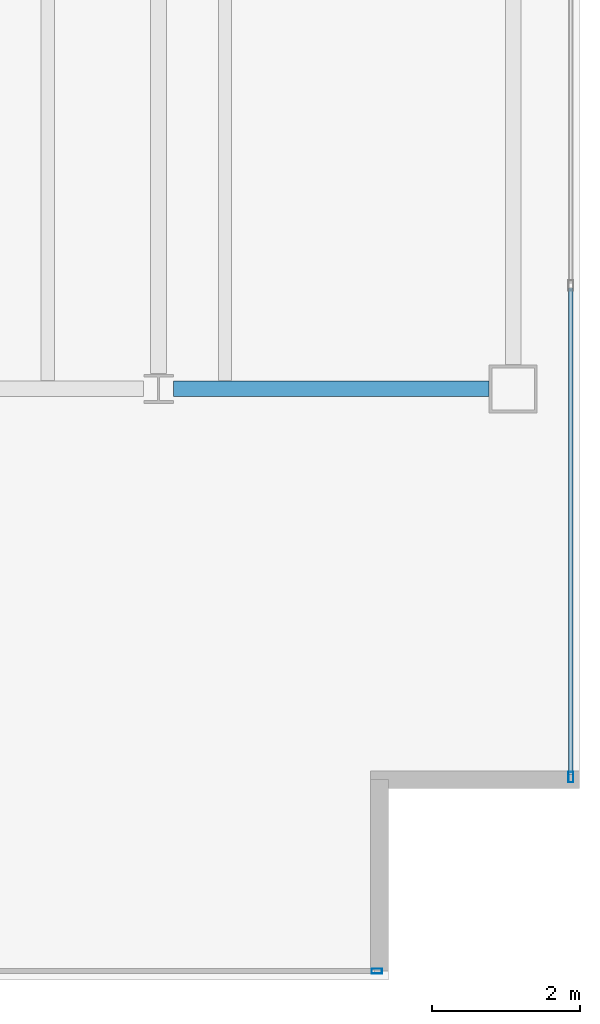
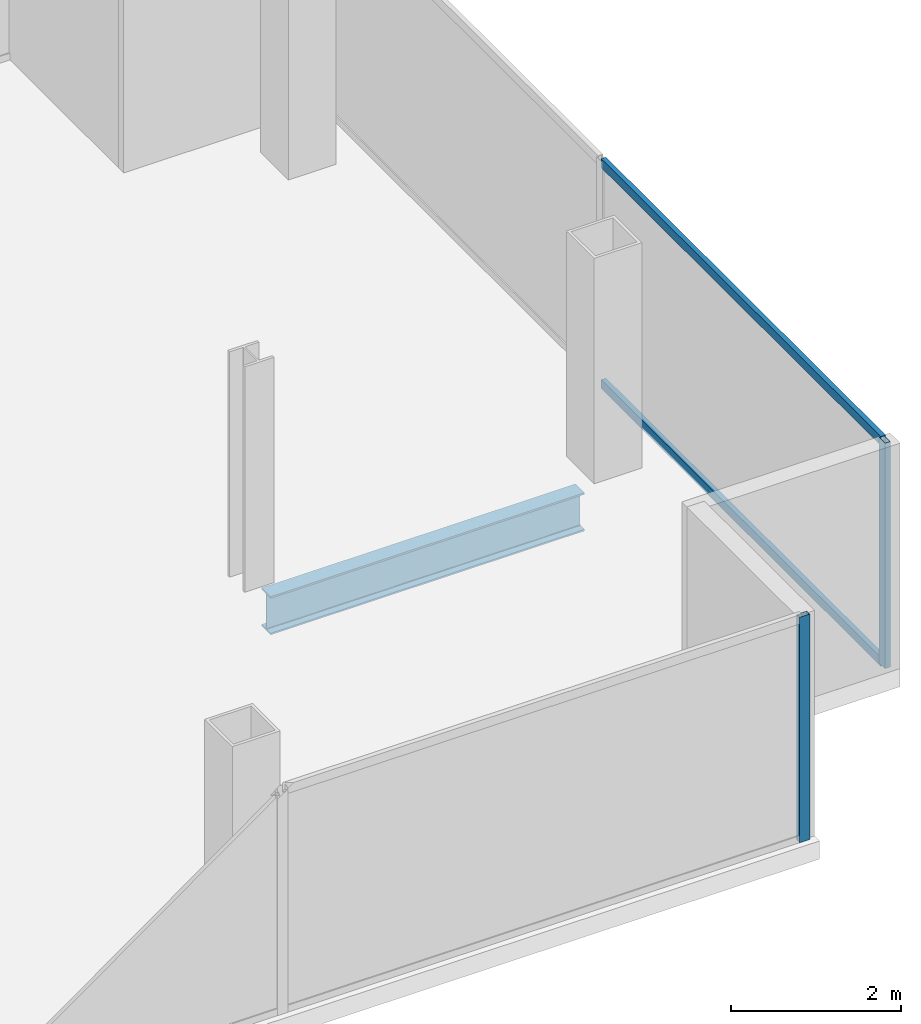
# One storey, part 14 of 23: 4 members, 1 beam, 2 elements without a shape of their own.
"""IFC4 building model written with IfcOpenShell, lengths in metres."""

from ifc_helpers import new_model, si_unit, direction, frame, origin, origin_2d, place, context, subcontext, project, spatial, hollow_rectangle, i_section, extrude, material, material_profile, profile_set, type_object, element, aggregate, save


model = new_model("IFC4")

# Units and contexts
model_context = context("Model", 3, precision=1e-05, world=origin(), true_north=direction((0.0, 1.0)))
body_context = subcontext(model_context, "Body", "Model", "MODEL_VIEW")
ifc_project = project(units=[si_unit("LENGTHUNIT", "METRE"), si_unit("AREAUNIT", "SQUARE_METRE"), si_unit("VOLUMEUNIT", "CUBIC_METRE"), si_unit("PLANEANGLEUNIT", "RADIAN"), si_unit("MASSUNIT", "GRAM", prefix="KILO")], contexts=[model_context])

# Site, building, storey
site_placement = place(None, origin())
site = spatial("IfcSite", under=ifc_project, at=site_placement, CompositionType="ELEMENT")
building_placement = place(site_placement, origin())
building = spatial("IfcBuilding", under=site, at=building_placement, Name="Cobrela Telecom Tower", CompositionType="ELEMENT")
storey_placement = place(building_placement, frame((0.0, 0.0, 265.64990234375)))
storey = spatial("IfcBuildingStorey", under=building, at=storey_placement, Name="L69", CompositionType="ELEMENT", Elevation=265.64990234375)

# Beam
ifc_material_1 = material(Name="Steel ASTM A992 Grade 50", Category="steel")
ifc_material_profile_1 = material_profile(ifc_material_1, i_section(OverallWidth=0.212890625, OverallDepth=0.549072265625, WebThickness=0.0146484375, FlangeThickness=0.023681640625, FilletRadius=0.013916015625, at=origin_2d()), Name="W21X93")
ifc_profile_set_1 = profile_set([ifc_material_profile_1], Name="Steel ASTM A992 Grade 50")
beam_type = type_object("IfcBeamType", Name="BM-GIRD-08", PredefinedType="USERDEFINED", material=ifc_profile_set_1)
beam_placement = place(storey_placement, frame((40.1044921875, 14.39990234375, -0.534423828125), z_axis=(1.0, 0.0, 0.0), x_axis=(0.0, 1.0, 0.0)))
element("IfcBeam", 1, at=beam_placement, inside=storey, type_object=beam_type, Name="L69 Primary Girder X09", ObjectType="GIRDER", PredefinedType="USERDEFINED", context=body_context, shape_type="SweptSolid", body=[
    extrude(i_section(OverallWidth=0.212890625, OverallDepth=0.549072265625, WebThickness=0.0146484375, FlangeThickness=0.023681640625, FilletRadius=0.013916015625, at=origin_2d()), origin(), (0.0, 0.0, 1.0), 4.265625),
])

# Curtain wall, member
ifc_material_2 = material(Name="Anodized Bronze Aluminium 6063-T6", Category="aluminium")
curtain_wall_type = type_object("IfcCurtainWallType", Name="CW-SYS-OFF-HI", PredefinedType="USERDEFINED", material=ifc_material_2)
curtain_wall_1_placement = place(storey_placement, origin())
curtain_wall_1 = element("IfcCurtainWall", 2, at=curtain_wall_1_placement, inside=storey, type_object=curtain_wall_type, Name="L69 Unitised Bronze Curtain Wall 12", ObjectType="UNITISED CURTAIN WALL", PredefinedType="USERDEFINED")
ifc_material_profile_2 = material_profile(ifc_material_2, hollow_rectangle(XDim=0.070068359375, YDim=0.139892578125, WallThickness=0.00390625, at=origin_2d()), Name="ALU 70x140x4")
ifc_profile_set_2 = profile_set([ifc_material_profile_2], Name="Anodized Bronze Aluminium 6063-T6")
member_type_1 = type_object("IfcMemberType", Name="CW-SYS-OFF-HI-MUL", PredefinedType="MULLION", material=ifc_profile_set_2)
member_1_placement = place(storey_placement, frame((45.47998046875, 9.14501953125, 0.0), z_axis=(0.0, 0.0, 1.0), x_axis=(1.0, 0.0, 0.0)))
member_1 = element("IfcMember", 3, at=member_1_placement, type_object=member_type_1, Name="CW-OFF-HI mullion 3", PredefinedType="MULLION", context=body_context, shape_type="SweptSolid", body=[
    extrude(hollow_rectangle(XDim=0.070068359375, YDim=0.139892578125, WallThickness=0.00390625, at=origin_2d()), origin(), (0.0, 0.0, 1.0), 3.239990234375),
])

curtain_wall_2_placement = place(storey_placement, origin())
curtain_wall_2 = element("IfcCurtainWall", 4, at=curtain_wall_2_placement, inside=storey, type_object=curtain_wall_type, Name="L69 Unitised Bronze Curtain Wall 15", ObjectType="UNITISED CURTAIN WALL", PredefinedType="USERDEFINED")
member_2_placement = place(storey_placement, frame((42.85498046875, 6.52001953125, 0.0), z_axis=(0.0, 0.0, 1.0), x_axis=(0.0, -1.0, 0.0)))
member_2 = element("IfcMember", 5, at=member_2_placement, type_object=member_type_1, Name="CW-OFF-HI mullion 1", PredefinedType="MULLION", context=body_context, shape_type="SweptSolid", body=[
    extrude(hollow_rectangle(XDim=0.070068359375, YDim=0.139892578125, WallThickness=0.00390625, at=origin_2d()), origin(), (0.0, 0.0, 1.0), 3.239990234375),
])
aggregate(curtain_wall_2, [member_2])

# Member
ifc_material_profile_3 = material_profile(ifc_material_2, hollow_rectangle(XDim=0.06494140625, YDim=0.1298828125, WallThickness=0.00390625, at=origin_2d()), Name="ALU 65x130x4")
ifc_profile_set_3 = profile_set([ifc_material_profile_3], Name="Anodized Bronze Aluminium 6063-T6")
member_type_2 = type_object("IfcMemberType", Name="CW-SYS-OFF-HI-TRN", PredefinedType="USERDEFINED", material=ifc_profile_set_3)
member_3_placement = place(storey_placement, frame((45.47998046875, 15.764892578125, 0.03271484375), z_axis=(0.0, -1.0, 0.0), x_axis=(1.0, 0.0, 0.0)))
member_3 = element("IfcMember", 6, at=member_3_placement, type_object=member_type_2, Name="CW-OFF-HI transom 2.1", ObjectType="TRANSOM", PredefinedType="USERDEFINED", context=body_context, shape_type="SweptSolid", body=[
    extrude(hollow_rectangle(XDim=0.06494140625, YDim=0.1298828125, WallThickness=0.00390625, at=origin_2d()), origin(), (0.0, 0.0, 1.0), 6.5849609375),
])

member_4_placement = place(storey_placement, frame((45.47998046875, 15.764892578125, 3.20751953125), z_axis=(0.0, -1.0, 0.0), x_axis=(1.0, 0.0, 0.0)))
member_4 = element("IfcMember", 7, at=member_4_placement, type_object=member_type_2, Name="CW-OFF-HI transom 2.2", ObjectType="TRANSOM", PredefinedType="USERDEFINED", context=body_context, shape_type="SweptSolid", body=[
    extrude(hollow_rectangle(XDim=0.06494140625, YDim=0.1298828125, WallThickness=0.00390625, at=origin_2d()), origin(), (0.0, 0.0, 1.0), 6.5849609375),
])

aggregate(curtain_wall_1, [member_1, member_3, member_4])

save(model, "model.ifc")
